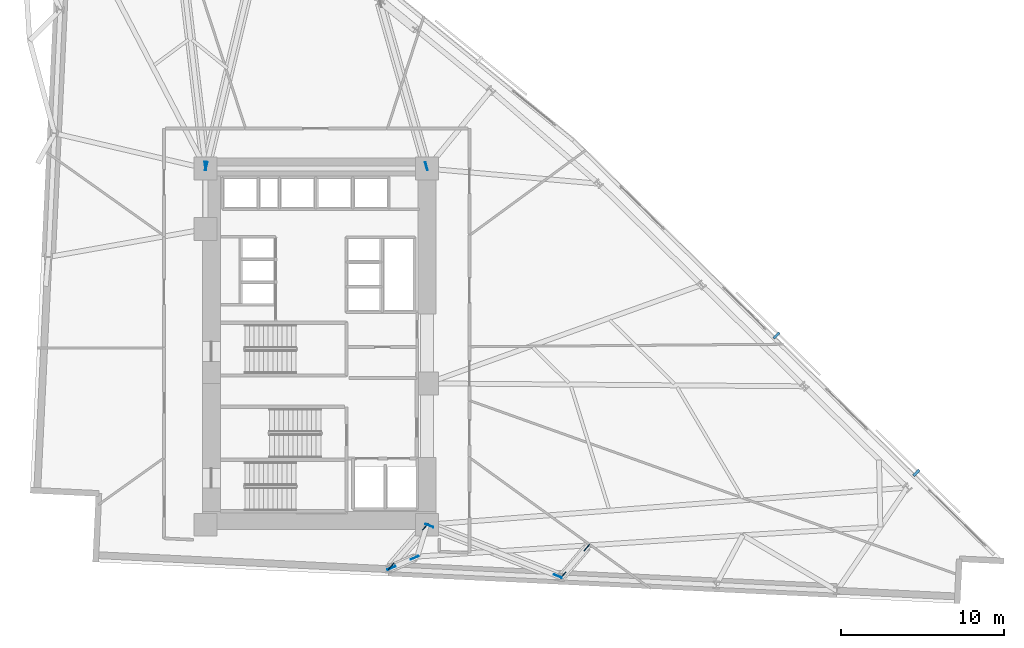
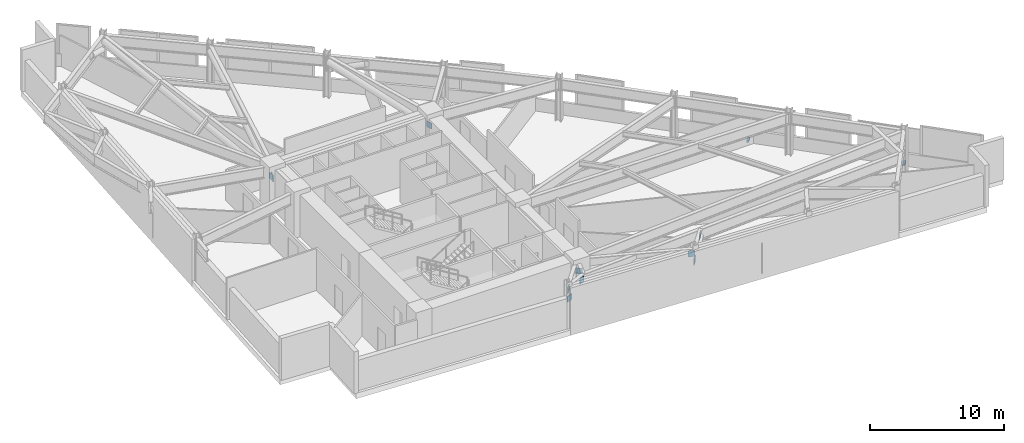
# One storey, part 15 of 18: 13 discrete accessories.
"""IFC4 building model written with IfcOpenShell, lengths in metres."""

from ifc_helpers import new_model, si_unit, direction, frame, origin, origin_2d, place, context, subcontext, project, spatial, rectangle, extrude, material, type_object, element, save


model = new_model("IFC4")

# Units and contexts
model_context = context("Model", 3, precision=1e-05, world=origin(), true_north=direction((0.0, 1.0)))
body_context = subcontext(model_context, "Body", "Model", "MODEL_VIEW")
ifc_project = project(units=[si_unit("LENGTHUNIT", "METRE"), si_unit("AREAUNIT", "SQUARE_METRE"), si_unit("VOLUMEUNIT", "CUBIC_METRE"), si_unit("PLANEANGLEUNIT", "RADIAN"), si_unit("MASSUNIT", "GRAM", prefix="KILO")], contexts=[model_context])

# Site, building, storey
site_placement = place(None, origin())
site = spatial("IfcSite", under=ifc_project, at=site_placement, CompositionType="ELEMENT")
building_placement = place(site_placement, origin())
building = spatial("IfcBuilding", under=site, at=building_placement, Name="Narakoshi Arena Tower", CompositionType="ELEMENT")
storey_placement = place(building_placement, frame((0.0, 0.0, 59.10009765625)))
storey = spatial("IfcBuildingStorey", under=building, at=storey_placement, Name="L15", CompositionType="ELEMENT", Elevation=59.10009765625)

# Discrete accessories
ifc_material_1 = material(Name="Structural steel S355J2", Category="steel")
discrete_accessory_type_1 = type_object("IfcDiscreteAccessoryType", Name="ACC-BRK-SCR", PredefinedType="BRACKET", material=ifc_material_1)
for number, where, z_axis, x_axis, name in (
    (1, (115.498291015625, 37.867919921875, -0.080078125), (0.0, 0.0, 1.0), (-0.712540559713, 0.70163092204, 0.0), "L15 Solar Screen Support Bracket SHD-L15-PLV1-1"),
    (2, (106.94775390625, 46.28759765625, -0.080078125), (0.0, 0.0, 1.0), (-0.712540559713, 0.70163092204, 0.0), "L15 Solar Screen Support Bracket SHD-L15-PLV1-2"),
):
    element("IfcDiscreteAccessory", number, at=place(storey_placement, frame(where, z_axis=z_axis, x_axis=x_axis)), inside=storey, type_object=discrete_accessory_type_1, Name=name, PredefinedType="BRACKET", context=body_context, shape_type="SweptSolid", body=[
        extrude(rectangle(XDim=0.159912109375, YDim=0.5, at=origin_2d()), origin(), (0.0, 0.0, 1.0), 0.199951171875),
    ])
ifc_material_2 = material(Name="Structural steel S460ML", Category="steel")
discrete_accessory_type_2 = type_object("IfcDiscreteAccessoryType", Name="ACC-GUS-PLT", PredefinedType="BRACKET", material=ifc_material_2)
for number, where, z_axis, x_axis, name in (
    (3, (83.376708984375, 32.052001953125, 2.289794921875), (0.0, 0.0, 1.0), (0.914607159799, 0.404343595529, 0.0), "L15 Brace Node Gusset Plate 0136"),
    (4, (84.79248046875, 32.677978515625, 3.035888671875), (0.0, 0.0, 1.0), (0.914607159799, 0.404343595529, 0.0), "L15 Brace Node Gusset Plate 0137"),
    (5, (93.876953125, 31.609375, 2.289794921875), (0.0, 0.0, 1.0), (0.650111380342, 0.759838925793, 0.0), "L15 Brace Node Gusset Plate 0138"),
    (6, (95.32470703125, 33.30126953125, 3.035888671875), (0.0, 0.0, 1.0), (0.650111380342, 0.759838925793, 0.0), "L15 Brace Node Gusset Plate 0139"),
    (7, (85.4521484375, 34.586181640625, 2.33984375), (0.0, 0.0, 1.0), (0.65170135625, 0.758475670184, 0.0), "L15 Brace Node Gusset Plate 0144"),
    (8, (83.35546875, 32.14599609375, 3.035888671875), (0.0, 0.0, 1.0), (0.65170135625, 0.758475670184, 0.0), "L15 Brace Node Gusset Plate 0145"),
    (9, (85.689697265625, 34.64501953125, 2.33984375), (0.0, 0.0, 1.0), (-0.930673207349, 0.365851583464, 0.0), "L15 Brace Node Gusset Plate 0146"),
    (10, (93.55517578125, 31.552978515625, 3.035888671875), (0.0, 0.0, 1.0), (-0.930673207349, 0.365851583464, 0.0), "L15 Brace Node Gusset Plate 0147"),
    (11, (85.50927734375, 56.644287109375, 2.33984375), (0.0, 0.0, 1.0), (-0.272112304173, 0.962265500742, 0.0), "L15 Brace Node Gusset Plate 0148"),
    (12, (72.034912109375, 56.64599609375, 2.33984375), (0.0, 0.0, 1.0), (0.232257215962, 0.97265440195, 0.0), "L15 Brace Node Gusset Plate 0150"),
    (13, (71.982421875, 56.64892578125, 2.33984375), (0.0, 0.0, 1.0), (-0.1168440763, 0.993150271527, 0.0), "L15 Brace Node Gusset Plate 0152"),
):
    element("IfcDiscreteAccessory", number, at=place(storey_placement, frame(where, z_axis=z_axis, x_axis=x_axis)), inside=storey, type_object=discrete_accessory_type_2, Name=name, PredefinedType="BRACKET", context=body_context, shape_type="SweptSolid", body=[
        extrude(rectangle(XDim=0.52001953125, YDim=0.050048828125, at=origin_2d()), origin(), (0.0, 0.0, 1.0), 0.52001953125),
    ])

save(model, "model.ifc")
